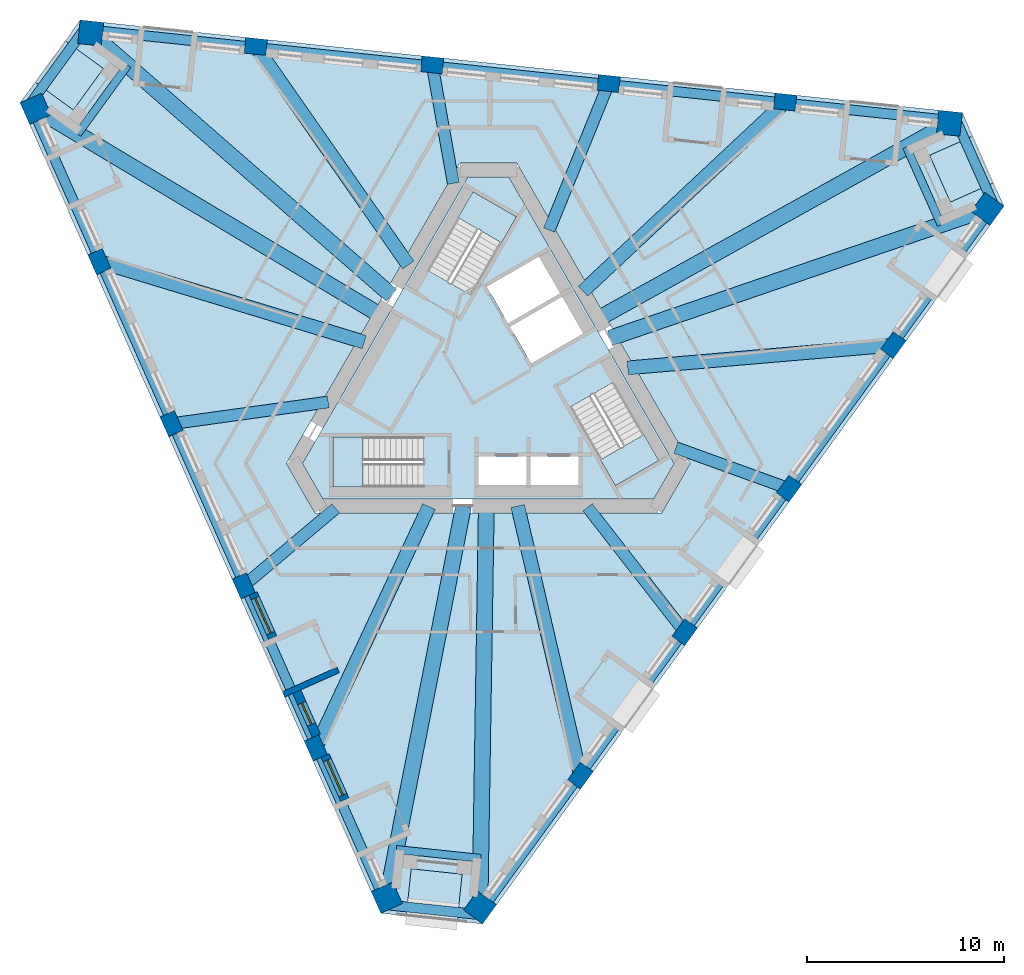
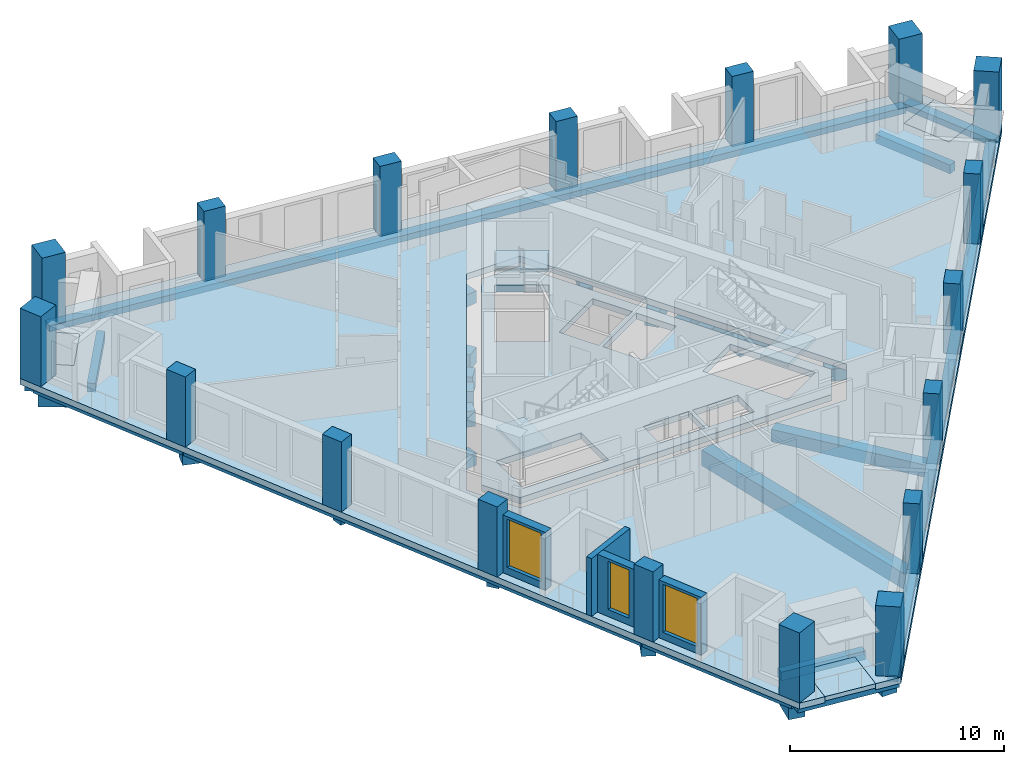
# One storey, part 1 of 11: 27 beams, 18 columns, 8 slabs, 4 walls, 3 windows, 3 openings, 3 elements without a shape of their own.
"""IFC4 building model written with IfcOpenShell, lengths in metres."""

from ifc_helpers import new_model, si_unit, direction, frame, frame_2d, origin, origin_2d, place, context, subcontext, project, spatial, polyline, rectangle, outline, extrude, material, layer, layer_set, material_profile, profile_set, type_object, element, fill, aggregate, save


model = new_model("IFC4")

# Units and contexts
model_context = context("Model", 3, precision=1e-05, world=origin(), true_north=direction((0.0, 1.0)))
body_context = subcontext(model_context, "Body", "Model", "MODEL_VIEW")
ifc_project = project(units=[si_unit("LENGTHUNIT", "METRE"), si_unit("AREAUNIT", "SQUARE_METRE"), si_unit("VOLUMEUNIT", "CUBIC_METRE"), si_unit("PLANEANGLEUNIT", "RADIAN"), si_unit("MASSUNIT", "GRAM", prefix="KILO")], contexts=[model_context])

# Site, building, storey
site_placement = place(None, origin())
site = spatial("IfcSite", under=ifc_project, at=site_placement, CompositionType="ELEMENT")
building_placement = place(site_placement, origin())
building = spatial("IfcBuilding", under=site, at=building_placement, Name="Tramontana Tower", CompositionType="ELEMENT")
storey_placement = place(building_placement, frame((0.0, 0.0, 245.199951171875)))
storey = spatial("IfcBuildingStorey", under=building, at=storey_placement, Name="L57", CompositionType="ELEMENT", Elevation=245.199951171875)

# Columns
ifc_material_1 = material(Name="Concrete 55 MPa", Category="concrete")
ifc_material_profile_1 = material_profile(ifc_material_1, rectangle(XDim=1.199951171875, YDim=1.199951171875, at=origin_2d()), Name="Mega column 1200X1200 55 MPa")
ifc_profile_set_1 = profile_set([ifc_material_profile_1], Name="Concrete 55 MPa")
column_type_1 = type_object("IfcColumnType", Name="Mega column 1200X1200 55 MPa", PredefinedType="COLUMN", material=ifc_profile_set_1)
for number, where, z_axis, x_axis, name in (
    (1, (-22.98291015625, 13.758056640625, 0.0), (0.0, 0.0, 1.0), (0.406736643076, -0.913545457643, 0.0), "Mega column C6K1 L57"),
    (2, (-5.154296875, -26.28564453125, 0.0), (0.0, 0.0, 1.0), (0.406736643076, -0.913545457643, 0.0), "Mega column C6K2 L57"),
    (3, (-0.42333984375, -26.782958984375, 0.0), (0.0, 0.0, 1.0), (0.587785252292, 0.809016994375, 0.0), "Mega column C6K3 L57"),
    (4, (25.341064453125, 8.678955078125, 0.0), (0.0, 0.0, 1.0), (0.587785252292, 0.809016994375, 0.0), "Mega column C6K4 L57"),
    (5, (23.40625, 13.024658203125, 0.0), (0.0, 0.0, 1.0), (-0.994521895368, 0.104528463268, 0.0), "Mega column C6K5 L57"),
    (6, (-20.186767578125, 17.6064453125, 0.0), (0.0, 0.0, 1.0), (-0.994521895368, 0.104528463268, 0.0), "Mega column C6K6 L57"),
):
    element("IfcColumn", number, at=place(storey_placement, frame(where, z_axis=z_axis, x_axis=x_axis)), inside=storey, type_object=column_type_1, Name=name, PredefinedType="COLUMN", context=body_context, shape_type="SweptSolid", body=[
        extrude(rectangle(XDim=1.199951171875, YDim=1.199951171875, at=origin_2d()), origin(), (0.0, 0.0, 1.0), 4.0),
    ])
ifc_material_2 = material(Name="Concrete 55 MPa", Category="concrete")
ifc_material_profile_2 = material_profile(ifc_material_2, rectangle(XDim=1.10009765625, YDim=0.800048828125, at=origin_2d()), Name="Pier column 1100X800 55 MPa")
ifc_profile_set_2 = profile_set([ifc_material_profile_2], Name="Concrete 55 MPa")
column_type_2 = type_object("IfcColumnType", Name="Pier column 1100X800 55 MPa", PredefinedType="COLUMN", material=ifc_profile_set_2)
for number, where, z_axis, x_axis, name in (
    (7, (-19.746337890625, 5.996826171875, 0.0), (0.0, 0.0, 1.0), (0.406736643076, -0.913545457643, 0.0), "Pier column C6F01 L57"),
    (8, (-16.0830078125, -2.231201171875, 0.0), (0.0, 0.0, 1.0), (0.406736643076, -0.913545457643, 0.0), "Pier column C6F02 L57"),
    (9, (-12.419677734375, -10.458984375, 0.0), (0.0, 0.0, 1.0), (0.406736643076, -0.913545457643, 0.0), "Pier column C6F03 L57"),
    (10, (-8.75634765625, -18.68701171875, 0.0), (0.0, 0.0, 1.0), (0.406736643076, -0.913545457643, 0.0), "Pier column C6F04 L57"),
    (11, (4.6796875, -20.099365234375, 0.0), (0.0, 0.0, 1.0), (0.587785252292, 0.809016994375, 0.0), "Pier column C6F05 L57"),
    (12, (9.9736328125, -12.812744140625, 0.0), (0.0, 0.0, 1.0), (0.587785252292, 0.809016994375, 0.0), "Pier column C6F06 L57"),
    (13, (15.267578125, -5.526123046875, 0.0), (0.0, 0.0, 1.0), (0.587785252292, 0.809016994375, 0.0), "Pier column C6F07 L57"),
    (14, (20.5615234375, 1.76025390625, 0.0), (0.0, 0.0, 1.0), (0.587785252292, 0.809016994375, 0.0), "Pier column C6F08 L57"),
    (15, (15.066650390625, 14.102294921875, 0.0), (0.0, 0.0, 1.0), (-0.994521895368, 0.104528463268, 0.0), "Pier column C6F09 L57"),
    (16, (6.109375, 15.043701171875, 0.0), (0.0, 0.0, 1.0), (-0.994521895368, 0.104528463268, 0.0), "Pier column C6F10 L57"),
    (17, (-2.847900390625, 15.9853515625, 0.0), (0.0, 0.0, 1.0), (-0.994521895368, 0.104528463268, 0.0), "Pier column C6F11 L57"),
    (18, (-11.805419921875, 16.9267578125, 0.0), (0.0, 0.0, 1.0), (-0.994521895368, 0.104528463268, 0.0), "Pier column C6F12 L57"),
):
    element("IfcColumn", number, at=place(storey_placement, frame(where, z_axis=z_axis, x_axis=x_axis)), inside=storey, type_object=column_type_2, Name=name, PredefinedType="COLUMN", context=body_context, shape_type="SweptSolid", body=[
        extrude(rectangle(XDim=1.10009765625, YDim=0.800048828125, at=origin_2d()), origin(), (0.0, 0.0, 1.0), 4.0),
    ])

# Beams
ifc_material_3 = material(Name="Concrete 40 MPa", Category="concrete")
ifc_material_profile_3 = material_profile(ifc_material_3, rectangle(XDim=0.5, YDim=0.35009765625, at=origin_2d()), Name="RC EDGE BEAM 500X350 40 MPa")
ifc_profile_set_3 = profile_set([ifc_material_profile_3], Name="Concrete 40 MPa")
beam_type_1 = type_object("IfcBeamType", Name="RC EDGE BEAM 500X350 40 MPa", PredefinedType="SPANDREL", material=ifc_profile_set_3)
for number, where, z_axis, x_axis, name in (
    (19, (-23.119873046875, 13.697021484375, -0.52490234375), (0.406736811644, -0.913545382591, 0.0), (0.913545382591, 0.406736811644, 0.0), "Spandrel beam S0 L57"),
    (20, (-0.302001953125, -26.87109375, -0.52490234375), (0.587782498957, 0.809018994783, 0.0), (-0.809018994783, 0.587782498957, 0.0), "Spandrel beam S1 L57"),
):
    element("IfcBeam", number, at=place(storey_placement, frame(where, z_axis=z_axis, x_axis=x_axis)), inside=storey, type_object=beam_type_1, Name=name, PredefinedType="SPANDREL", context=body_context, shape_type="SweptSolid", body=[
        extrude(rectangle(XDim=0.5, YDim=0.35009765625, at=origin_2d()), origin(), (0.0, 0.0, 1.0), 43.833251953125),
    ])
beam_1_placement = place(storey_placement, frame((23.422119140625, 13.173828125, -0.52490234375), z_axis=(-0.994522012351, 0.104527350249, 0.0), x_axis=(-0.104527350249, -0.994522012351, 0.0)))
element("IfcBeam", 21, at=beam_1_placement, inside=storey, type_object=beam_type_1, Name="Spandrel beam S2 L57", PredefinedType="SPANDREL", context=body_context, shape_type="SweptSolid", body=[
    extrude(rectangle(XDim=0.5, YDim=0.35009765625, at=origin_2d()), origin(), (0.0, 0.0, 1.0), 43.83349609375),
])
for number, where, z_axis, x_axis, name in (
    (22, (-20.356689453125, 18.00146484375, -0.52490234375), (-0.587774926142, -0.809024496662, 0.0), (0.809024496662, -0.587774926142, 0.0), "Spandrel beam K0 L57"),
    (23, (-5.411376953125, -26.630126953125, -0.52490234375), (0.994520631958, -0.104540483116, 0.0), (0.104540483116, 0.994520631958, 0.0), "Spandrel beam K1 L57"),
):
    element("IfcBeam", number, at=place(storey_placement, frame(where, z_axis=z_axis, x_axis=x_axis)), inside=storey, type_object=beam_type_1, Name=name, PredefinedType="SPANDREL", context=body_context, shape_type="SweptSolid", body=[
        extrude(rectangle(XDim=0.5, YDim=0.35009765625, at=origin_2d()), origin(), (0.0, 0.0, 1.0), 5.1962890625),
    ])
beam_2_placement = place(storey_placement, frame((25.76806640625, 8.62890625, -0.52490234375), z_axis=(-0.406713847213, 0.913555606674, 0.0), x_axis=(-0.913555606674, -0.406713847213, 0.0)))
element("IfcBeam", 24, at=beam_2_placement, inside=storey, type_object=beam_type_1, Name="Spandrel beam K2 L57", PredefinedType="SPANDREL", context=body_context, shape_type="SweptSolid", body=[
    extrude(rectangle(XDim=0.5, YDim=0.35009765625, at=origin_2d()), origin(), (0.0, 0.0, 1.0), 5.196044921875),
])
ifc_material_4 = material(Name="Concrete 40 MPa", Category="concrete")
ifc_material_profile_4 = material_profile(ifc_material_4, rectangle(XDim=0.60009765625, YDim=0.699951171875, at=origin_2d()), Name="RC GIRDER 600X700 40 MPa")
ifc_profile_set_4 = profile_set([ifc_material_profile_4], Name="Concrete 40 MPa")
beam_type_2 = type_object("IfcBeamType", Name="RC GIRDER 600X700 40 MPa", PredefinedType="BEAM", material=ifc_profile_set_4)
beam_3_placement = place(storey_placement, frame((-16.0830078125, -2.231201171875, -0.699951171875), z_axis=(0.990511014631, 0.13743336529, 0.0), x_axis=(-0.13743336529, 0.990511014631, 0.0)))
element("IfcBeam", 25, at=beam_3_placement, inside=storey, type_object=beam_type_2, Name="Radial girder C6F02 L57", PredefinedType="BEAM", context=body_context, shape_type="SweptSolid", body=[
    extrude(rectangle(XDim=0.60009765625, YDim=0.699951171875, at=origin_2d()), origin(), (0.0, 0.0, 1.0), 8.032958984375),
])
beam_4_placement = place(storey_placement, frame((-12.419677734375, -10.458984375, -0.699951171875), z_axis=(0.7648987601, 0.644150515638, 0.0), x_axis=(-0.644150515638, 0.7648987601, 0.0)))
element("IfcBeam", 26, at=beam_4_placement, inside=storey, type_object=beam_type_2, Name="Radial girder C6F03 L57", PredefinedType="BEAM", context=body_context, shape_type="SweptSolid", body=[
    extrude(rectangle(XDim=0.60009765625, YDim=0.699951171875, at=origin_2d()), origin(), (0.0, 0.0, 1.0), 6.108154296875),
])
beam_5_placement = place(storey_placement, frame((9.9736328125, -12.812744140625, -0.699951171875), z_axis=(-0.614258279955, 0.789105040857, 0.0), x_axis=(-0.789105040857, -0.614258279955, 0.0)))
element("IfcBeam", 27, at=beam_5_placement, inside=storey, type_object=beam_type_2, Name="Radial girder C6F06 L57", PredefinedType="BEAM", context=body_context, shape_type="SweptSolid", body=[
    extrude(rectangle(XDim=0.60009765625, YDim=0.699951171875, at=origin_2d()), origin(), (0.0, 0.0, 1.0), 8.032958984375),
])
beam_6_placement = place(storey_placement, frame((15.267578125, -5.526123046875, -0.699951171875), z_axis=(-0.940300037895, 0.34034664496, 0.0), x_axis=(-0.34034664496, -0.940300037895, 0.0)))
element("IfcBeam", 28, at=beam_6_placement, inside=storey, type_object=beam_type_2, Name="Radial girder C6F07 L57", PredefinedType="BEAM", context=body_context, shape_type="SweptSolid", body=[
    extrude(rectangle(XDim=0.60009765625, YDim=0.699951171875, at=origin_2d()), origin(), (0.0, 0.0, 1.0), 6.108154296875),
])
beam_7_placement = place(storey_placement, frame((6.109375, 15.043701171875, -0.699951171875), z_axis=(-0.376258836782, -0.92651459122, 0.0), x_axis=(0.92651459122, -0.376258836782, 0.0)))
element("IfcBeam", 29, at=beam_7_placement, inside=storey, type_object=beam_type_2, Name="Radial girder C6F10 L57", PredefinedType="BEAM", context=body_context, shape_type="SweptSolid", body=[
    extrude(rectangle(XDim=0.60009765625, YDim=0.699951171875, at=origin_2d()), origin(), (0.0, 0.0, 1.0), 8.032958984375),
])
beam_8_placement = place(storey_placement, frame((-2.847900390625, 15.9853515625, -0.699951171875), z_axis=(0.175388058889, -0.984499379786, 0.0), x_axis=(0.984499379786, 0.175388058889, 0.0)))
element("IfcBeam", 30, at=beam_8_placement, inside=storey, type_object=beam_type_2, Name="Radial girder C6F11 L57", PredefinedType="BEAM", context=body_context, shape_type="SweptSolid", body=[
    extrude(rectangle(XDim=0.60009765625, YDim=0.699951171875, at=origin_2d()), origin(), (0.0, 0.0, 1.0), 6.108154296875),
])
ifc_material_5 = material(Name="Concrete 40 MPa", Category="concrete")
ifc_material_profile_5 = material_profile(ifc_material_5, rectangle(XDim=0.699951171875, YDim=0.89990234375, at=origin_2d()), Name="RC GIRDER 700X900 40 MPa")
ifc_profile_set_5 = profile_set([ifc_material_profile_5], Name="Concrete 40 MPa")
beam_type_3 = type_object("IfcBeamType", Name="RC GIRDER 700X900 40 MPa", PredefinedType="BEAM", material=ifc_profile_set_5)
beam_9_placement = place(storey_placement, frame((-19.746337890625, 5.996826171875, -0.800048828125), z_axis=(0.956850397844, -0.290580997566, 0.0), x_axis=(0.290580997566, 0.956850397844, 0.0)))
element("IfcBeam", 31, at=beam_9_placement, inside=storey, type_object=beam_type_3, Name="Radial girder C6F01 L57", PredefinedType="BEAM", context=body_context, shape_type="SweptSolid", body=[
    extrude(rectangle(XDim=0.699951171875, YDim=0.89990234375, at=origin_2d()), origin(), (0.0, 0.0, 1.0), 14.05615234375),
])
beam_10_placement = place(storey_placement, frame((-8.75634765625, -18.68701171875, -0.800048828125), z_axis=(0.424308147915, 0.90551786046, 0.0), x_axis=(-0.90551786046, 0.424308147915, 0.0)))
element("IfcBeam", 32, at=beam_10_placement, inside=storey, type_object=beam_type_3, Name="Radial girder C6F04 L57", PredefinedType="BEAM", context=body_context, shape_type="SweptSolid", body=[
    extrude(rectangle(XDim=0.699951171875, YDim=0.89990234375, at=origin_2d()), origin(), (0.0, 0.0, 1.0), 13.532470703125),
])
beam_11_placement = place(storey_placement, frame((4.6796875, -20.099365234375, -0.800048828125), z_axis=(-0.22676563163, 0.973949356133, 0.0), x_axis=(-0.973949356133, -0.22676563163, 0.0)))
element("IfcBeam", 33, at=beam_11_placement, inside=storey, type_object=beam_type_3, Name="Radial girder C6F05 L57", PredefinedType="BEAM", context=body_context, shape_type="SweptSolid", body=[
    extrude(rectangle(XDim=0.699951171875, YDim=0.89990234375, at=origin_2d()), origin(), (0.0, 0.0, 1.0), 14.056396484375),
])
beam_12_placement = place(storey_placement, frame((20.5615234375, 1.760498046875, -0.800048828125), z_axis=(-0.996353926175, -0.085316198904, 0.0), x_axis=(0.085316198904, -0.996353926175, 0.0)))
element("IfcBeam", 34, at=beam_12_placement, inside=storey, type_object=beam_type_3, Name="Radial girder C6F08 L57", PredefinedType="BEAM", context=body_context, shape_type="SweptSolid", body=[
    extrude(rectangle(XDim=0.699951171875, YDim=0.89990234375, at=origin_2d()), origin(), (0.0, 0.0, 1.0), 13.532470703125),
])
beam_13_placement = place(storey_placement, frame((15.066650390625, 14.102294921875, -0.800048828125), z_axis=(-0.730089981105, -0.683351022162, 0.0), x_axis=(0.683351022162, -0.730089981105, 0.0)))
element("IfcBeam", 35, at=beam_13_placement, inside=storey, type_object=beam_type_3, Name="Radial girder C6F09 L57", PredefinedType="BEAM", context=body_context, shape_type="SweptSolid", body=[
    extrude(rectangle(XDim=0.699951171875, YDim=0.89990234375, at=origin_2d()), origin(), (0.0, 0.0, 1.0), 14.056396484375),
])
beam_14_placement = place(storey_placement, frame((-11.805419921875, 16.9267578125, -0.800048828125), z_axis=(0.5720593984, -0.820212194924, 0.0), x_axis=(0.820212194924, 0.5720593984, 0.0)))
element("IfcBeam", 36, at=beam_14_placement, inside=storey, type_object=beam_type_3, Name="Radial girder C6F12 L57", PredefinedType="BEAM", context=body_context, shape_type="SweptSolid", body=[
    extrude(rectangle(XDim=0.699951171875, YDim=0.89990234375, at=origin_2d()), origin(), (0.0, 0.0, 1.0), 13.53271484375),
])
ifc_material_6 = material(Name="Concrete 40 MPa", Category="concrete")
ifc_material_profile_6 = material_profile(ifc_material_6, rectangle(XDim=0.800048828125, YDim=1.10009765625, at=origin_2d()), Name="RC GIRDER 800X1100 40 MPa")
ifc_profile_set_6 = profile_set([ifc_material_profile_6], Name="Concrete 40 MPa")
beam_type_4 = type_object("IfcBeamType", Name="RC GIRDER 800X1100 40 MPa", PredefinedType="BEAM", material=ifc_profile_set_6)
beam_15_placement = place(storey_placement, frame((-22.98291015625, 13.758056640625, -0.89990234375), z_axis=(0.858014507948, -0.513625451229, 0.0), x_axis=(0.513625451229, 0.858014507948, 0.0)))
element("IfcBeam", 37, at=beam_15_placement, inside=storey, type_object=beam_type_4, Name="Radial girder C6K1 L57", PredefinedType="BEAM", context=body_context, shape_type="SweptSolid", body=[
    extrude(rectangle(XDim=0.800048828125, YDim=1.10009765625, at=origin_2d()), origin(), (0.0, 0.0, 1.0), 20.385498046875),
])
beam_16_placement = place(storey_placement, frame((-5.154296875, -26.28564453125, -0.89990234375), z_axis=(0.192429707164, 0.981310760056, 0.0), x_axis=(-0.981310760056, 0.192429707164, 0.0)))
element("IfcBeam", 38, at=beam_16_placement, inside=storey, type_object=beam_type_4, Name="Radial girder C6K2 L57", PredefinedType="BEAM", context=body_context, shape_type="SweptSolid", body=[
    extrude(rectangle(XDim=0.800048828125, YDim=1.10009765625, at=origin_2d()), origin(), (0.0, 0.0, 1.0), 20.2578125),
])
beam_17_placement = place(storey_placement, frame((-0.42333984375, -26.78271484375, -0.89990234375), z_axis=(0.015796706362, 0.99987522425, 0.0), x_axis=(-0.99987522425, 0.015796706362, 0.0)))
element("IfcBeam", 39, at=beam_17_placement, inside=storey, type_object=beam_type_4, Name="Radial girder C6K3 L57", PredefinedType="BEAM", context=body_context, shape_type="SweptSolid", body=[
    extrude(rectangle(XDim=0.800048828125, YDim=1.10009765625, at=origin_2d()), origin(), (0.0, 0.0, 1.0), 20.38525390625),
])
beam_18_placement = place(storey_placement, frame((25.34130859375, 8.67919921875, -0.89990234375), z_axis=(-0.946050478935, -0.324019276136, 0.0), x_axis=(0.324019276136, -0.946050478935, 0.0)))
element("IfcBeam", 40, at=beam_18_placement, inside=storey, type_object=beam_type_4, Name="Radial girder C6K4 L57", PredefinedType="BEAM", context=body_context, shape_type="SweptSolid", body=[
    extrude(rectangle(XDim=0.800048828125, YDim=1.10009765625, at=origin_2d()), origin(), (0.0, 0.0, 1.0), 20.258056640625),
])
beam_19_placement = place(storey_placement, frame((23.40625, 13.024658203125, -0.89990234375), z_axis=(-0.873818675449, -0.486251912528, 0.0), x_axis=(0.486251912528, -0.873818675449, 0.0)))
element("IfcBeam", 41, at=beam_19_placement, inside=storey, type_object=beam_type_4, Name="Radial girder C6K5 L57", PredefinedType="BEAM", context=body_context, shape_type="SweptSolid", body=[
    extrude(rectangle(XDim=0.800048828125, YDim=1.10009765625, at=origin_2d()), origin(), (0.0, 0.0, 1.0), 20.38525390625),
])
beam_20_placement = place(storey_placement, frame((-20.18701171875, 17.606689453125, -0.89990234375), z_axis=(0.753629135933, -0.657299874846, 0.0), x_axis=(0.657299874846, 0.753629135933, 0.0)))
element("IfcBeam", 42, at=beam_20_placement, inside=storey, type_object=beam_type_4, Name="Radial girder C6K6 L57", PredefinedType="BEAM", context=body_context, shape_type="SweptSolid", body=[
    extrude(rectangle(XDim=0.800048828125, YDim=1.10009765625, at=origin_2d()), origin(), (0.0, 0.0, 1.0), 20.2578125),
])
ifc_material_7 = material(Name="Concrete 40 MPa", Category="concrete")
ifc_material_profile_7 = material_profile(ifc_material_7, rectangle(XDim=0.39990234375, YDim=0.5, at=origin_2d()), Name="RC TRIM BEAM 400X500 40 MPa")
ifc_profile_set_7 = profile_set([ifc_material_profile_7], Name="Concrete 40 MPa")
beam_type_5 = type_object("IfcBeamType", Name="RC TRIM BEAM 400X500 40 MPa", PredefinedType="JOIST", material=ifc_profile_set_7)
for number, where, z_axis, x_axis, name in (
    (43, (-18.310302734375, 15.9697265625, -0.599853515625), (-0.587744325324, -0.809046727976, 0.0), (0.809046727976, -0.587744325324, 0.0), "Trimmer beam K0 L57"),
    (44, (-4.675048828125, -23.841796875, -0.599853515625), (0.994517847883, -0.104566965344, 0.0), (0.104566965344, 0.994517847883, 0.0), "Trimmer beam K1 L57"),
    (45, (22.9853515625, 7.872314453125, -0.599853515625), (-0.406773611719, 0.913528997246, 0.0), (-0.913528997246, -0.406773611719, 0.0), "Trimmer beam K2 L57"),
):
    element("IfcBeam", number, at=place(storey_placement, frame(where, z_axis=z_axis, x_axis=x_axis)), inside=storey, type_object=beam_type_5, Name=name, PredefinedType="JOIST", context=body_context, shape_type="SweptSolid", body=[
        extrude(rectangle(XDim=0.39990234375, YDim=0.5, at=origin_2d()), origin(), (0.0, 0.0, 1.0), 4.314697265625),
    ])

# Slabs
ifc_material_8 = material(Name="Precast concrete 50 MPa", Category="concrete")
ifc_layer_1 = layer(ifc_material_8, 0.25)
ifc_layer_set_1 = layer_set([ifc_layer_1], Name="LT1 Loggia floor tray 250")
slab_type_1 = type_object("IfcSlabType", Name="LT1 Loggia floor tray 250", PredefinedType="FLOOR", material=ifc_layer_set_1)
slab_1_placement = place(storey_placement, frame((0.0, 0.0, -0.25)))
element("IfcSlab", 46, at=slab_1_placement, inside=storey, type_object=slab_type_1, Name="Corner loggia floor L57 K60", PredefinedType="FLOOR", context=body_context, shape_type="SweptSolid", body=[
    extrude(outline(polyline([(-21.48388671875, 17.2158203125), (-19.542236328125, 15.80517578125), (-21.070556640625, 13.70166015625), (-23.01220703125, 15.1123046875), (-21.48388671875, 17.2158203125)])), origin(), (0.0, 0.0, 1.0), 0.25),
])
slab_2_placement = place(storey_placement, frame((0.0, 0.0, -0.25)))
element("IfcSlab", 47, at=slab_2_placement, inside=storey, type_object=slab_type_1, Name="Corner loggia floor L57 K61", PredefinedType="FLOOR", context=body_context, shape_type="SweptSolid", body=[
    extrude(outline(polyline([(-4.16748046875, -27.21337890625), (-3.91650390625, -24.82666015625), (-1.330810546875, -25.098388671875), (-1.58154296875, -27.4853515625), (-4.16748046875, -27.21337890625)])), origin(), (0.0, 0.0, 1.0), 0.25),
])
slab_3_placement = place(storey_placement, frame((0.0, 0.0, -0.25)))
element("IfcSlab", 48, at=slab_3_placement, inside=storey, type_object=slab_type_1, Name="Corner loggia floor L57 K62", PredefinedType="FLOOR", context=body_context, shape_type="SweptSolid", body=[
    extrude(outline(polyline([(25.6513671875, 9.99755859375), (23.458740234375, 9.021484375), (22.401123046875, 11.396728515625), (24.59375, 12.372802734375), (25.6513671875, 9.99755859375)])), origin(), (0.0, 0.0, 1.0), 0.25),
])
ifc_material_9 = material(Name="Concrete 40 MPa", Category="concrete")
ifc_layer_2 = layer(ifc_material_9, 0.35009765625)
ifc_layer_set_2 = layer_set([ifc_layer_2], Name="PT FLAT SLAB 350 40 MPa")
slab_type_2 = type_object("IfcSlabType", Name="PT FLAT SLAB 350 40 MPa", PredefinedType="FLOOR", material=ifc_layer_set_2)
slab_4_placement = place(storey_placement, frame((0.0, 0.0, -0.349853515625)))
element("IfcSlab", 49, at=slab_4_placement, inside=storey, type_object=slab_type_2, Name="Floor slab L57", PredefinedType="FLOOR", context=body_context, shape_type="SweptSolid", body=[
    extrude(outline(polyline([(24.59375, 12.372802734375), (22.401123046875, 11.396728515625), (23.458740234375, 9.021484375), (25.6513671875, 9.99755859375), (26.17919921875, 8.811767578125), (-0.290771484375, -27.620849609375), (-1.581787109375, -27.485107421875), (-1.330810546875, -25.098388671875), (-3.91650390625, -24.82666015625), (-4.16748046875, -27.21337890625), (-5.45849609375, -27.077880859375), (-23.775146484375, 14.062255859375), (-23.01220703125, 15.1123046875), (-21.0703125, 13.70166015625), (-19.542236328125, 15.80517578125), (-21.48388671875, 17.2158203125), (-20.720947265625, 18.26611328125), (24.06591796875, 13.55859375), (24.59375, 12.372802734375)]), holes=[polyline([(-10.248046875, -4.25), (-8.8046875, -6.75), (8.8046875, -6.75), (10.248046875, -4.25), (1.443359375, 11.0), (-1.443359375, 11.0), (-10.248046875, -4.25)])]), origin(), (0.0, 0.0, 1.0), 0.349853515625),
])
slab_5_placement = place(storey_placement, frame((0.0, 0.0, -0.349853515625)))
element("IfcSlab", 50, at=slab_5_placement, inside=storey, type_object=slab_type_2, Name="Core floor slab L57", PredefinedType="FLOOR", context=body_context, shape_type="SweptSolid", body=[
    extrude(outline(polyline([(9.439697265625, -4.25), (8.400390625, -6.050048828125), (-8.400390625, -6.050048828125), (-9.439697265625, -4.25), (-1.039306640625, 10.300048828125), (1.039306640625, 10.300048828125), (9.439697265625, -4.25)]), holes=[polyline([(8.659912109375, -4.099365234375), (6.35986328125, -0.115478515625), (4.151611328125, -1.390625), (6.451416015625, -5.374267578125), (8.659912109375, -4.099365234375)]), polyline([(3.829833984375, 4.2666015625), (1.101806640625, 2.69140625), (2.177001953125, 0.82958984375), (4.90478515625, 2.404541015625), (3.829833984375, 4.2666015625)]), polyline([(4.590087890625, -3.89990234375), (2.139892578125, -3.89990234375), (2.139892578125, -5.449951171875), (4.590087890625, -5.449951171875), (4.590087890625, -3.89990234375)]), polyline([(2.65478515625, 6.3017578125), (-0.072998046875, 4.726806640625), (1.001953125, 2.86474609375), (3.729736328125, 4.439697265625), (2.65478515625, 6.3017578125)]), polyline([(1.93994140625, -5.449951171875), (1.93994140625, -3.89990234375), (-0.510009765625, -3.89990234375), (-0.510009765625, -5.449951171875), (1.93994140625, -5.449951171875)]), polyline([(-0.77978515625, 9.54931640625), (-3.079833984375, 5.565673828125), (-0.87158203125, 4.29052734375), (1.428466796875, 8.2744140625), (-0.77978515625, 9.54931640625)]), polyline([(-7.8798828125, -5.449951171875), (-3.280029296875, -5.449951171875), (-3.280029296875, -2.89990234375), (-7.8798828125, -2.89990234375), (-7.8798828125, -5.449951171875)])]), origin(), (0.0, 0.0, 1.0), 0.349853515625),
])

# Stair, slab
ifc_material_10 = material(Name="Concrete 40 MPa", Category="concrete")
stair_type = type_object("IfcStairType", Name="EXIT STAIR 24 RISERS", PredefinedType="HALF_TURN_STAIR", material=ifc_material_10)
stair_1_placement = place(storey_placement, origin())
stair_1 = element("IfcStair", 51, at=stair_1_placement, inside=storey, type_object=stair_type, Name="L57 Exit stair ST1", PredefinedType="HALF_TURN_STAIR")
ifc_material_11 = material(Name="Concrete 40 MPa", Category="concrete")
ifc_layer_3 = layer(ifc_material_11, 0.199951171875)
ifc_layer_set_3 = layer_set([ifc_layer_3], Name="STAIR LANDING 200")
slab_type_3 = type_object("IfcSlabType", Name="STAIR LANDING 200", PredefinedType="LANDING", material=ifc_layer_set_3)
slab_6_placement = place(storey_placement, frame((0.0, 0.0, 1.800048828125)))
slab_6 = element("IfcSlab", 52, at=slab_6_placement, type_object=slab_type_3, Name="ST1 landing 1", PredefinedType="LANDING", context=body_context, shape_type="SweptSolid", body=[
    extrude(outline(polyline([(0.66845703125, 6.9580078125), (1.428466796875, 8.274169921875), (-0.77978515625, 9.54931640625), (-1.539794921875, 8.23291015625), (0.66845703125, 6.9580078125)])), origin(), (0.0, 0.0, 1.0), 0.199951171875),
])
aggregate(stair_1, [slab_6])

stair_2_placement = place(storey_placement, origin())
stair_2 = element("IfcStair", 53, at=stair_2_placement, inside=storey, type_object=stair_type, Name="L57 Exit stair ST2", PredefinedType="HALF_TURN_STAIR")
slab_7_placement = place(storey_placement, frame((0.0, 0.0, 1.800048828125)))
slab_7 = element("IfcSlab", 54, at=slab_7_placement, type_object=slab_type_3, Name="ST2 landing 1", PredefinedType="LANDING", context=body_context, shape_type="SweptSolid", body=[
    extrude(outline(polyline([(-6.360107421875, -2.89990234375), (-7.8798828125, -2.89990234375), (-7.8798828125, -5.449951171875), (-6.360107421875, -5.449951171875), (-6.360107421875, -2.89990234375)])), origin(), (0.0, 0.0, 1.0), 0.199951171875),
])
aggregate(stair_2, [slab_7])

stair_3_placement = place(storey_placement, origin())
stair_3 = element("IfcStair", 55, at=stair_3_placement, inside=storey, type_object=stair_type, Name="L57 Exit stair ST3", PredefinedType="HALF_TURN_STAIR")
slab_8_placement = place(storey_placement, frame((0.0, 0.0, 1.800048828125)))
slab_8 = element("IfcSlab", 56, at=slab_8_placement, type_object=slab_type_3, Name="ST3 landing 1", PredefinedType="LANDING", context=body_context, shape_type="SweptSolid", body=[
    extrude(outline(polyline([(5.69140625, -4.057861328125), (6.451416015625, -5.374267578125), (8.659912109375, -4.099365234375), (7.89990234375, -2.782958984375), (5.69140625, -4.057861328125)])), origin(), (0.0, 0.0, 1.0), 0.199951171875),
])
aggregate(stair_3, [slab_8])

# Wall, opening, window
ifc_material_12 = material(Name="Precast concrete 60 MPa", Category="concrete")
ifc_layer_4 = layer(ifc_material_12, 0.449951171875)
ifc_layer_set_4 = layer_set([ifc_layer_4], Name="Precast concrete 60 MPa, 450 mm")
wall_type_1 = type_object("IfcWallType", Name="EW1 Stone-faced precast wall 450", PredefinedType="SOLIDWALL", material=ifc_layer_set_4)
wall_1_placement = place(storey_placement, frame((-11.94482421875, -10.849609375, 0.0), z_axis=(0.0, 0.0, 1.0), x_axis=(0.406784963852, -0.913523942316, 0.0)))
wall_1 = element("IfcWall", 57, at=wall_1_placement, inside=storey, type_object=wall_type_1, Name="External wall L57 face 0 bay 4", PredefinedType="SOLIDWALL", context=body_context, shape_type="SweptSolid", body=[
    extrude(rectangle(XDim=2.452392578125, YDim=0.449951171875, at=frame_2d((1.22607421875, 0.0))), origin(), (0.0, 0.0, 1.0), 3.300048828125),
])
opening_1_placement = place(wall_1_placement, frame((0.251220703125, 0.0, 0.39990234375)))
opening_1 = element("IfcOpeningElement", 58, at=opening_1_placement, cuts=wall_1, Name="Opening M3", PredefinedType="OPENING", context=body_context, shape_type="SweptSolid", body=[
    extrude(rectangle(XDim=1.949951171875, YDim=2.75, at=frame_2d((0.97509765625, 1.375))), frame((0.0, 0.23486328125, 0.0), z_axis=(0.0, -1.0, 0.0), x_axis=(1.0, 0.0, 0.0)), (0.0, 0.0, 1.0), 0.469970703125),
])
ifc_material_13 = material(Name="Aluminum frame, double glazing unit", Category="aluminium")
window_type_1 = type_object("IfcWindowType", Name="M3 Window 1.95 x 2.75", PartitioningType="SINGLE_PANEL", PredefinedType="WINDOW", material=ifc_material_13)
window_1_placement = place(opening_1_placement, origin())
window_1 = element("IfcWindow", 59, at=window_1_placement, inside=storey, type_object=window_type_1, Name="Window M3 L57 face 0 module 10", OverallHeight=2.75, OverallWidth=1.949951171875, PartitioningType="SINGLE_PANEL", PredefinedType="WINDOW", context=body_context, shape_type="SweptSolid", body=[
    extrude(rectangle(XDim=1.949951171875, YDim=2.75, at=frame_2d((0.97509765625, 1.375))), frame((0.0, 0.030029296875, 0.0), z_axis=(0.0, -1.0, 0.0), x_axis=(1.0, 0.0, 0.0)), (0.0, 0.0, 1.0), 0.06005859375),
])
fill(opening_1, window_1)

wall_2_placement = place(storey_placement, frame((-9.72607421875, -15.83251953125, 0.0), z_axis=(0.0, 0.0, 1.0), x_axis=(0.406701876909, -0.913560935745, 0.0)))
wall_2 = element("IfcWall", 60, at=wall_2_placement, inside=storey, type_object=wall_type_1, Name="External wall L57 face 0 bay 4", PredefinedType="SOLIDWALL", context=body_context, shape_type="SweptSolid", body=[
    extrude(rectangle(XDim=2.4521484375, YDim=0.449951171875, at=frame_2d((1.22607421875, 0.0))), origin(), (0.0, 0.0, 1.0), 3.300048828125),
])
opening_2_placement = place(wall_2_placement, frame((0.626220703125, 0.0, 0.39990234375)))
opening_2 = element("IfcOpeningElement", 61, at=opening_2_placement, cuts=wall_2, Name="Opening N3", PredefinedType="OPENING", context=body_context, shape_type="SweptSolid", body=[
    extrude(rectangle(XDim=1.199951171875, YDim=2.75, at=frame_2d((0.60009765625, 1.375))), frame((0.0, 0.23486328125, 0.0), z_axis=(0.0, -1.0, 0.0), x_axis=(1.0, 0.0, 0.0)), (0.0, 0.0, 1.0), 0.469970703125),
])
ifc_material_14 = material(Name="Aluminum frame, double glazing unit", Category="aluminium")
window_type_2 = type_object("IfcWindowType", Name="N3 Window 1.2 x 2.75", PartitioningType="SINGLE_PANEL", PredefinedType="WINDOW", material=ifc_material_14)
window_2_placement = place(opening_2_placement, origin())
window_2 = element("IfcWindow", 62, at=window_2_placement, inside=storey, type_object=window_type_2, Name="Window N3 L57 face 0 module 12", OverallHeight=2.75, OverallWidth=1.199951171875, PartitioningType="SINGLE_PANEL", PredefinedType="WINDOW", context=body_context, shape_type="SweptSolid", body=[
    extrude(rectangle(XDim=1.199951171875, YDim=2.75, at=frame_2d((0.60009765625, 1.375))), frame((0.0, 0.030029296875, 0.0), z_axis=(0.0, -1.0, 0.0), x_axis=(1.0, 0.0, 0.0)), (0.0, 0.0, 1.0), 0.06005859375),
])
fill(opening_2, window_2)

wall_3_placement = place(storey_placement, frame((-8.28125, -19.07763671875, 0.0), z_axis=(0.0, 0.0, 1.0), x_axis=(0.406701876909, -0.913560935745, 0.0)))
wall_3 = element("IfcWall", 63, at=wall_3_placement, inside=storey, type_object=wall_type_1, Name="External wall L57 face 0 bay 5", PredefinedType="SOLIDWALL", context=body_context, shape_type="SweptSolid", body=[
    extrude(rectangle(XDim=2.4521484375, YDim=0.449951171875, at=frame_2d((1.22607421875, 0.0))), origin(), (0.0, 0.0, 1.0), 3.300048828125),
])
opening_3_placement = place(wall_3_placement, frame((0.251220703125, 0.0, 0.39990234375)))
opening_3 = element("IfcOpeningElement", 64, at=opening_3_placement, cuts=wall_3, Name="Opening M3", PredefinedType="OPENING", context=body_context, shape_type="SweptSolid", body=[
    extrude(rectangle(XDim=1.949951171875, YDim=2.75, at=frame_2d((0.97509765625, 1.375))), frame((0.0, 0.23486328125, 0.0), z_axis=(0.0, -1.0, 0.0), x_axis=(1.0, 0.0, 0.0)), (0.0, 0.0, 1.0), 0.469970703125),
])
window_3_placement = place(opening_3_placement, origin())
window_3 = element("IfcWindow", 65, at=window_3_placement, inside=storey, type_object=window_type_1, Name="Window M3 L57 face 0 module 13", OverallHeight=2.75, OverallWidth=1.949951171875, PartitioningType="SINGLE_PANEL", PredefinedType="WINDOW", context=body_context, shape_type="SweptSolid", body=[
    extrude(rectangle(XDim=1.949951171875, YDim=2.75, at=frame_2d((0.97509765625, 1.375))), frame((0.0, 0.030029296875, 0.0), z_axis=(0.0, -1.0, 0.0), x_axis=(1.0, 0.0, 0.0)), (0.0, 0.0, 1.0), 0.06005859375),
])
fill(opening_3, window_3)

# Wall
ifc_material_15 = material(Name="Precast concrete 60 MPa", Category="concrete")
ifc_layer_5 = layer(ifc_material_15, 0.300048828125)
ifc_layer_set_5 = layer_set([ifc_layer_5], Name="LW1 Stone-faced loggia wall 300")
wall_type_2 = type_object("IfcWallType", Name="LW1 Stone-faced loggia wall 300", PredefinedType="SOLIDWALL", material=ifc_layer_set_5)
wall_4_placement = place(storey_placement, frame((-10.40380859375, -15.969970703125, 0.0), z_axis=(0.0, 0.0, 1.0), x_axis=(0.913557205168, 0.406710256677, 0.0)))
element("IfcWall", 66, at=wall_4_placement, inside=storey, type_object=wall_type_2, Name="Loggia return L57 G6S0.10b", PredefinedType="SOLIDWALL", context=body_context, shape_type="SweptSolid", body=[
    extrude(rectangle(XDim=3.050048828125, YDim=0.300048828125, at=frame_2d((1.52490234375, 0.0))), origin(), (0.0, 0.0, 1.0), 3.300048828125),
])

save(model, "model.ifc")
